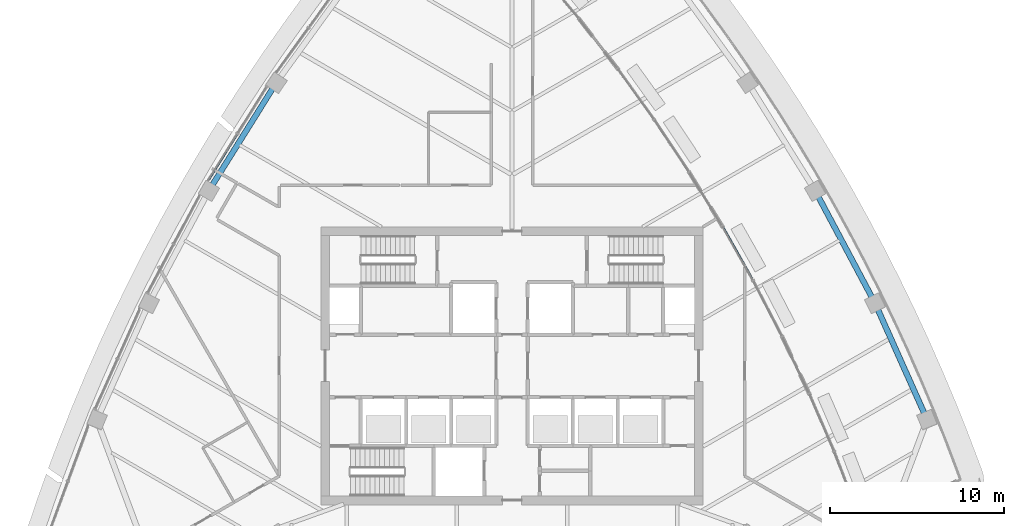
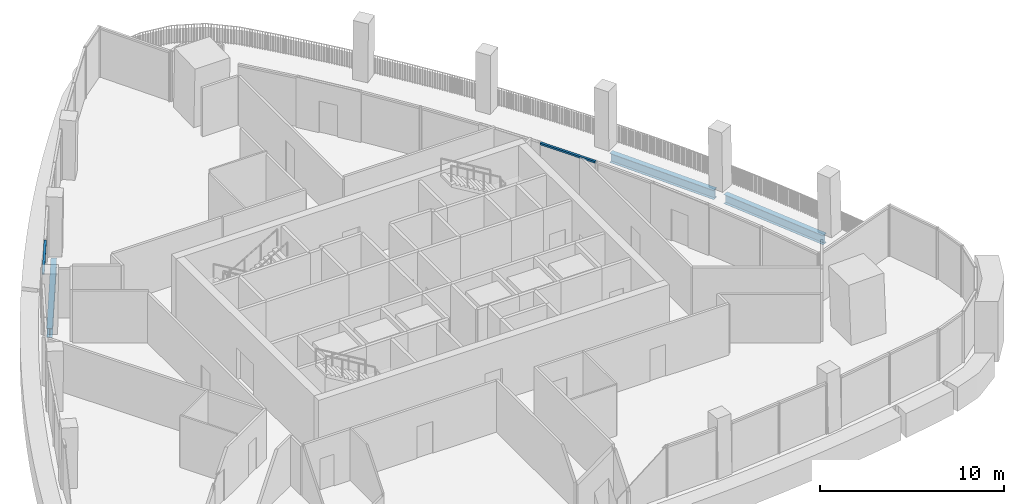
# One storey, part 5 of 18: 3 beams, 2 members, 2 elements without a shape of their own.
"""IFC4 building model written with IfcOpenShell, lengths in metres."""

from ifc_helpers import new_model, si_unit, direction, frame, origin, origin_2d, place, context, subcontext, project, spatial, rectangle, i_section, extrude, material, layer, layer_set, material_profile, profile_set, type_object, element, aggregate, save


model = new_model("IFC4")

# Units and contexts
model_context = context("Model", 3, precision=1e-05, world=origin(), true_north=direction((0.0, 1.0)))
body_context = subcontext(model_context, "Body", "Model", "MODEL_VIEW")
ifc_project = project(units=[si_unit("LENGTHUNIT", "METRE"), si_unit("AREAUNIT", "SQUARE_METRE"), si_unit("VOLUMEUNIT", "CUBIC_METRE"), si_unit("PLANEANGLEUNIT", "RADIAN"), si_unit("MASSUNIT", "GRAM", prefix="KILO")], contexts=[model_context])

# Site, building, storey
site_placement = place(None, origin())
site = spatial("IfcSite", under=ifc_project, at=site_placement, CompositionType="ELEMENT")
building_placement = place(site_placement, origin())
building = spatial("IfcBuilding", under=site, at=building_placement, Name="Sierra Prisma Convention Tower", CompositionType="ELEMENT")
storey_placement = place(building_placement, frame((0.0, 0.0, 291.0)))
storey = spatial("IfcBuildingStorey", under=building, at=storey_placement, Name="L66", CompositionType="ELEMENT", Elevation=291.0)

# Curtain wall, member
ifc_material_1 = material(Name="Aluminium and glass curtain wall", Category="aluminium")
ifc_layer_1 = layer(ifc_material_1, 0.179931640625)
ifc_layer_set_1 = layer_set([ifc_layer_1], Name="CW-1 Plain shaft curtain wall")
curtain_wall_type_1 = type_object("IfcCurtainWallType", Name="CW-1 Plain shaft curtain wall", PredefinedType="NOTDEFINED", material=ifc_layer_set_1)
curtain_wall_1_placement = place(storey_placement, origin())
curtain_wall_1 = element("IfcCurtainWall", 1, at=curtain_wall_1_placement, inside=storey, type_object=curtain_wall_type_1, Name="CW-1 NW3 L66", PredefinedType="NOTDEFINED")
ifc_material_2 = material(Name="Aluminium 6063-T6 bronze anodised", Category="aluminium")
ifc_material_profile_1 = material_profile(ifc_material_2, rectangle(XDim=0.139892578125, YDim=0.1201171875, at=origin_2d()), Name="ALU TRANSOM 120x140")
ifc_profile_set_1 = profile_set([ifc_material_profile_1], Name="Aluminium 6063-T6 bronze anodised")
member_type = type_object("IfcMemberType", Name="CW transom bronze", PredefinedType="USERDEFINED", material=ifc_profile_set_1)
member_1_placement = place(storey_placement, frame((-15.8310546875, 13.34326171875, 3.340087890625), z_axis=(-0.529513889358, -0.848301267815, 0.0), x_axis=(0.848301267815, -0.529513889358, 0.0)))
member_1 = element("IfcMember", 2, at=member_1_placement, type_object=member_type, Name="CW-1 transom NW3.2", ObjectType="TRANSOM", PredefinedType="USERDEFINED", context=body_context, shape_type="SweptSolid", body=[
    extrude(rectangle(XDim=0.139892578125, YDim=0.1201171875, at=origin_2d()), origin(), (0.0, 0.0, 1.0), 3.122314453125),
])
aggregate(curtain_wall_1, [member_1])

ifc_material_3 = material(Name="Aluminium and glass curtain wall", Category="aluminium")
ifc_layer_2 = layer(ifc_material_3, 0.179931640625)
ifc_layer_set_2 = layer_set([ifc_layer_2], Name="CW-6 Terrace recess curtain wall")
curtain_wall_type_2 = type_object("IfcCurtainWallType", Name="CW-6 Terrace recess curtain wall", PredefinedType="NOTDEFINED", material=ifc_layer_set_2)
curtain_wall_2_placement = place(storey_placement, origin())
curtain_wall_2 = element("IfcCurtainWall", 3, at=curtain_wall_2_placement, inside=storey, type_object=curtain_wall_type_2, Name="CW-6 R5 L66", PredefinedType="NOTDEFINED")
member_2_placement = place(storey_placement, frame((13.857666015625, 4.939453125, 3.280029296875), z_axis=(-0.492207146417, 0.870478101399, 0.0), x_axis=(-0.870478101399, -0.492207146417, 0.0)))
member_2 = element("IfcMember", 4, at=member_2_placement, type_object=member_type, Name="CW-6 transom R5.1", ObjectType="TRANSOM", PredefinedType="USERDEFINED", context=body_context, shape_type="SweptSolid", body=[
    extrude(rectangle(XDim=0.139892578125, YDim=0.1201171875, at=origin_2d()), origin(), (0.0, 0.0, 1.0), 3.488525390625),
])
aggregate(curtain_wall_2, [member_2])

# Beams
ifc_material_4 = material(Name="Steel ASTM A992 Gr 50", Category="steel")
ifc_material_profile_2 = material_profile(ifc_material_4, i_section(OverallWidth=0.324951171875, OverallDepth=0.615966796875, WebThickness=0.013916015625, FlangeThickness=0.021484375, at=origin_2d()), Name="W610x174")
ifc_profile_set_2 = profile_set([ifc_material_profile_2], Name="Steel ASTM A992 Gr 50")
beam_type = type_object("IfcBeamType", Name="Spandrel beam W610x174", PredefinedType="BEAM", material=ifc_profile_set_2)
for number, where, z_axis, x_axis, name in (
    (5, (23.7685546875, -2.8046875, -0.60791015625), (-0.408080027983, 0.912946159837, 0.0), (-0.912946159837, -0.408080027983, 0.0), "Spandrel L66-08"),
    (6, (20.751708984375, 3.888671875, -0.60791015625), (-0.469895919791, 0.882721827397, 0.0), (-0.882721827397, -0.469895919791, 0.0), "Spandrel L66-09"),
):
    element("IfcBeam", number, at=place(storey_placement, frame(where, z_axis=z_axis, x_axis=x_axis)), inside=storey, type_object=beam_type, Name=name, PredefinedType="BEAM", context=body_context, shape_type="SweptSolid", body=[
        extrude(i_section(OverallWidth=0.324951171875, OverallDepth=0.615966796875, WebThickness=0.013916015625, FlangeThickness=0.021484375, at=origin_2d()), origin(), (0.0, 0.0, 1.0), 6.68212890625),
    ])
beam_placement = place(storey_placement, frame((-13.74365234375, 16.027099609375, -0.4580078125), z_axis=(-0.529509488144, -0.848304015059, 0.0), x_axis=(0.848304015059, -0.529509488144, 0.0)))
element("IfcBeam", 7, at=beam_placement, inside=storey, type_object=beam_type, Name="Spandrel L66-15", PredefinedType="BEAM", context=body_context, shape_type="SweptSolid", body=[
    extrude(i_section(OverallWidth=0.324951171875, OverallDepth=0.615966796875, WebThickness=0.013916015625, FlangeThickness=0.021484375, at=origin_2d()), origin(), (0.0, 0.0, 1.0), 6.681884765625),
])

save(model, "model.ifc")
